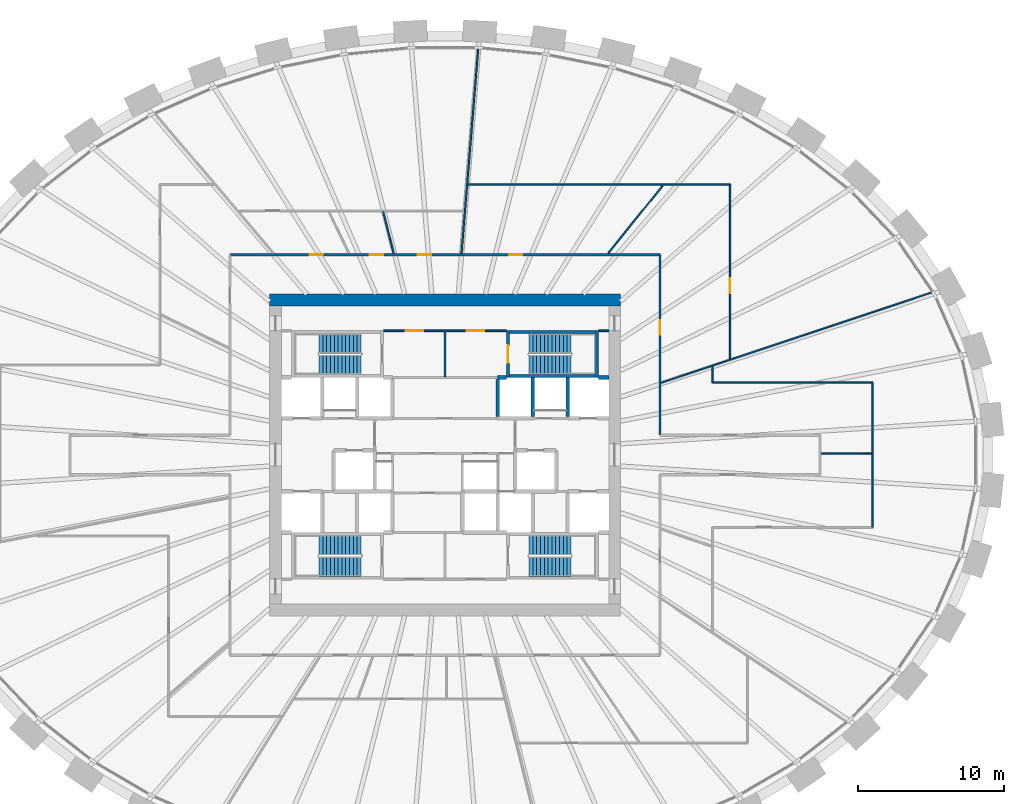
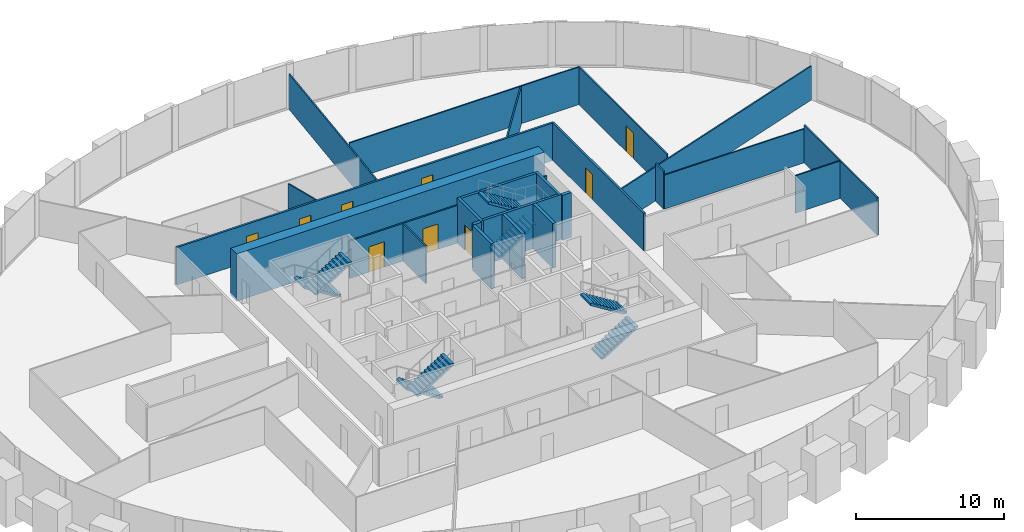
# One storey, part 9 of 10: 25 walls, 9 doors, 8 stair flights, 9 openings, 4 elements without a shape of their own.
"""IFC4 building model written with IfcOpenShell, lengths in metres."""

from ifc_helpers import new_model, si_unit, direction, frame, frame_2d, origin, place, context, subcontext, project, spatial, polyline, rectangle, outline, extrude, source, transform, mapped, material, layer, layer_set, type_object, element, fill, aggregate, save


model = new_model("IFC4")

# Units and contexts
model_context = context("Model", 3, precision=1e-05, world=origin(), true_north=direction((0.0, 1.0)))
body_context = subcontext(model_context, "Body", "Model", "MODEL_VIEW")
ifc_project = project(units=[si_unit("LENGTHUNIT", "METRE"), si_unit("AREAUNIT", "SQUARE_METRE"), si_unit("VOLUMEUNIT", "CUBIC_METRE"), si_unit("PLANEANGLEUNIT", "RADIAN"), si_unit("MASSUNIT", "GRAM", prefix="KILO")], contexts=[model_context])

# Site, building, storey
site_placement = place(None, origin())
site = spatial("IfcSite", under=ifc_project, at=site_placement, CompositionType="ELEMENT")
building_placement = place(site_placement, origin())
building = spatial("IfcBuilding", under=site, at=building_placement, Name="Embergate Tower", CompositionType="ELEMENT")
storey_placement = place(building_placement, frame((0.0, 0.0, 167.699951171875)))
storey = spatial("IfcBuildingStorey", under=building, at=storey_placement, Name="L37", CompositionType="ELEMENT", Elevation=167.699951171875)

# Walls
ifc_material_1 = material(Name="Concrete C70", Category="concrete")
ifc_layer_1 = layer(ifc_material_1, 0.800048828125)
ifc_layer_set_1 = layer_set([ifc_layer_1], Name="Concrete C70")
wall_type_1 = type_object("IfcWallType", Name="Core outer wall C70 800", PredefinedType="SHEAR", material=ifc_layer_set_1)
shared_shape_1 = source(origin(), body_context, "Body", "SweptSolid", [
    extrude(rectangle(XDim=24.0, YDim=0.800048828125, at=frame_2d((12.0, 0.0))), origin(), (0.0, 0.0, 1.0), 3.89990234375),
])
wall_1_placement = place(storey_placement, frame((-12.0, 10.60009765625, -0.199951171875), z_axis=(0.0, 0.0, 1.0), x_axis=(1.0, 0.0, 0.0)))
element("IfcWall", 1, at=wall_1_placement, inside=storey, type_object=wall_type_1, Name="CW-L37-N", PredefinedType="SHEAR", context=body_context, shape_type="MappedRepresentation", body=[
    mapped(shared_shape_1, transform((0.0, 0.0, 0.0))),
])
ifc_material_2 = material(Name="Concrete C50", Category="concrete")
ifc_layer_2 = layer(ifc_material_2, 0.25)
ifc_layer_set_2 = layer_set([ifc_layer_2], Name="Concrete C50")
wall_type_2 = type_object("IfcWallType", Name="Hoistway wall reinforced concrete 250", PredefinedType="SHEAR", material=ifc_layer_set_2)
shared_shape_2 = source(origin(), body_context, "Body", "SweptSolid", [
    extrude(rectangle(XDim=2.675048828125, YDim=0.25, at=frame_2d((1.33740234375, 0.0))), origin(), (0.0, 0.0, 1.0), 3.699951171875),
])
for number, where, z_axis, x_axis, name in (
    (2, (6.0, 2.625, 0.0), (0.0, 0.0, 1.0), (0.0, 1.0, 0.0), "HW-1 wall"),
    (3, (8.39990234375, 2.625, 0.0), (0.0, 0.0, 1.0), (0.0, 1.0, 0.0), "HW-1 wall"),
):
    element("IfcWall", number, at=place(storey_placement, frame(where, z_axis=z_axis, x_axis=x_axis)), inside=storey, type_object=wall_type_2, Name=name, PredefinedType="SHEAR", context=body_context, shape_type="MappedRepresentation", body=[
        mapped(shared_shape_2, transform((0.0, 0.0, 0.0))),
    ])
ifc_layer_3 = layer(ifc_material_2, 0.199951171875)
ifc_layer_set_3 = layer_set([ifc_layer_3], Name="Concrete C50")
wall_type_3 = type_object("IfcWallType", Name="Stair enclosure wall reinforced concrete 250", PredefinedType="SHEAR", material=ifc_layer_set_3)
shared_shape_3 = source(origin(), body_context, "Body", "SweptSolid", [
    extrude(rectangle(XDim=6.300048828125, YDim=0.199951171875, at=frame_2d((3.14990234375, 0.0))), origin(), (0.0, 0.0, 1.0), 3.699951171875),
])
for number, where, z_axis, x_axis, name in (
    (4, (10.5, 5.39990234375, 0.0), (0.0, 0.0, 1.0), (-1.0, 0.0, 0.0), "SE-1 wall"),
    (5, (10.5, 8.39990234375, 0.0), (0.0, 0.0, 1.0), (-1.0, 0.0, 0.0), "SE-1 wall"),
):
    element("IfcWall", number, at=place(storey_placement, frame(where, z_axis=z_axis, x_axis=x_axis)), inside=storey, type_object=wall_type_3, Name=name, PredefinedType="SHEAR", context=body_context, shape_type="MappedRepresentation", body=[
        mapped(shared_shape_3, transform((0.0, 0.0, 0.0))),
    ])
shared_shape_4 = source(origin(), body_context, "Body", "SweptSolid", [
    extrude(rectangle(XDim=2.550048828125, YDim=0.25, at=frame_2d((1.27490234375, 0.0))), origin(), (0.0, 0.0, 1.0), 3.699951171875),
])
wall_2_placement = place(storey_placement, frame((3.60009765625, 5.175048828125, 0.0), z_axis=(0.0, 0.0, 1.0), x_axis=(0.0, -1.0, 0.0)))
element("IfcWall", 6, at=wall_2_placement, inside=storey, type_object=wall_type_2, Name="HW-1 wall", PredefinedType="SHEAR", context=body_context, shape_type="MappedRepresentation", body=[
    mapped(shared_shape_4, transform((0.0, 0.0, 0.0))),
])

# Wall, opening, door
shared_shape_5 = source(origin(), body_context, "Body", "SweptSolid", [
    extrude(rectangle(XDim=3.199951171875, YDim=0.199951171875, at=frame_2d((1.60009765625, 0.0))), origin(), (0.0, 0.0, 1.0), 3.699951171875),
])
wall_3_placement = place(storey_placement, frame((4.300048828125, 8.5, 0.0), z_axis=(0.0, 0.0, 1.0), x_axis=(0.0, -1.0, 0.0)))
wall_3 = element("IfcWall", 7, at=wall_3_placement, inside=storey, type_object=wall_type_3, Name="SE-1 wall", PredefinedType="SHEAR", context=body_context, shape_type="MappedRepresentation", body=[
    mapped(shared_shape_5, transform((0.0, 0.0, 0.0))),
])
shared_shape_6 = source(origin(), body_context, "Body", "SweptSolid", [
    extrude(rectangle(XDim=1.199951171875, YDim=2.10009765625, at=frame_2d((0.60009765625, 1.050048828125))), frame((0.0, 0.10986328125, 0.0), z_axis=(0.0, -1.0, 0.0), x_axis=(1.0, 0.0, 0.0)), (0.0, 0.0, 1.0), 0.219970703125),
])
opening_1_placement = place(wall_3_placement, frame((1.0, 0.0, 0.0)))
opening_1 = element("IfcOpeningElement", 8, at=opening_1_placement, cuts=wall_3, Name="Opening IF-2", PredefinedType="OPENING", context=body_context, shape_type="MappedRepresentation", body=[
    mapped(shared_shape_6, transform((0.0, 0.0, 0.0))),
])
ifc_material_3 = material(Name="Stair enclosure door 1200")
door_type_1 = type_object("IfcDoorType", Name="Stair enclosure door 1200", OperationType="SINGLE_SWING_LEFT", PredefinedType="DOOR", material=ifc_material_3)
shared_shape_7 = source(origin(), body_context, "Body", "SweptSolid", [
    extrude(rectangle(XDim=1.199951171875, YDim=2.10009765625, at=frame_2d((0.60009765625, 1.050048828125))), frame((0.0, 0.02490234375, 0.0), z_axis=(0.0, -1.0, 0.0), x_axis=(1.0, 0.0, 0.0)), (0.0, 0.0, 1.0), 0.050048828125),
])
door_1_placement = place(opening_1_placement, origin())
door_1 = element("IfcDoor", 9, at=door_1_placement, inside=storey, type_object=door_type_1, Name="IF-2 door", OperationType="SINGLE_SWING_RIGHT", OverallHeight=2.10009765625, OverallWidth=1.199951171875, PredefinedType="DOOR", context=body_context, shape_type="MappedRepresentation", body=[
    mapped(shared_shape_7, transform((0.0, 0.0, 0.0))),
])
fill(opening_1, door_1)

# Wall, openings, doors
ifc_material_4 = material(Name="Core partition blockwork 120")
ifc_layer_4 = layer(ifc_material_4, 0.1201171875)
ifc_layer_set_4 = layer_set([ifc_layer_4], Name="Core partition blockwork 120")
wall_type_4 = type_object("IfcWallType", Name="Core partition blockwork 120", PredefinedType="PARTITIONING", material=ifc_layer_set_4)
shared_shape_8 = source(origin(), body_context, "Body", "SweptSolid", [
    extrude(rectangle(XDim=8.39990234375, YDim=0.1201171875, at=frame_2d((4.199951171875, 0.0))), origin(), (0.0, 0.0, 1.0), 3.10009765625),
])
wall_4_placement = place(storey_placement, frame((4.199951171875, 8.5, 0.0), z_axis=(0.0, 0.0, 1.0), x_axis=(-1.0, 0.0, 0.0)))
wall_4 = element("IfcWall", 10, at=wall_4_placement, inside=storey, type_object=wall_type_4, Name="IP-3 wall", PredefinedType="PARTITIONING", context=body_context, shape_type="MappedRepresentation", body=[
    mapped(shared_shape_8, transform((0.0, 0.0, 0.0))),
])
shared_shape_9 = source(origin(), body_context, "Body", "SweptSolid", [
    extrude(rectangle(XDim=1.199951171875, YDim=2.10009765625, at=frame_2d((0.60009765625, 1.050048828125))), frame((0.0, 0.070068359375, 0.0), z_axis=(0.0, -1.0, 0.0), x_axis=(1.0, 0.0, 0.0)), (0.0, 0.0, 1.0), 0.14013671875),
])
opening_2_placement = place(wall_4_placement, frame((5.699951171875, 0.0, 0.0)))
opening_2 = element("IfcOpeningElement", 11, at=opening_2_placement, cuts=wall_4, Name="Opening IF-3f", PredefinedType="OPENING", context=body_context, shape_type="MappedRepresentation", body=[
    mapped(shared_shape_9, transform((0.0, 0.0, 0.0))),
])
opening_3_placement = place(wall_4_placement, frame((1.5, 0.0, 0.0)))
opening_3 = element("IfcOpeningElement", 12, at=opening_3_placement, cuts=wall_4, Name="Opening IF-3f", PredefinedType="OPENING", context=body_context, shape_type="MappedRepresentation", body=[
    mapped(shared_shape_9, transform((0.0, 0.0, 0.0))),
])
ifc_material_5 = material(Name="Lobby fire door pair 1200")
door_type_2 = type_object("IfcDoorType", Name="Lobby fire door pair 1200", OperationType="DOUBLE_DOOR_SINGLE_SWING", PredefinedType="DOOR", material=ifc_material_5)
door_2_placement = place(opening_2_placement, origin())
door_2 = element("IfcDoor", 13, at=door_2_placement, inside=storey, type_object=door_type_2, Name="IF-3 door", OperationType="DOUBLE_DOOR_SINGLE_SWING", OverallHeight=2.10009765625, OverallWidth=1.199951171875, PredefinedType="DOOR", context=body_context, shape_type="MappedRepresentation", body=[
    mapped(shared_shape_7, transform((0.0, 0.0, 0.0))),
])
fill(opening_2, door_2)
door_3_placement = place(opening_3_placement, origin())
door_3 = element("IfcDoor", 14, at=door_3_placement, inside=storey, type_object=door_type_2, Name="IF-3 door", OperationType="DOUBLE_DOOR_SINGLE_SWING", OverallHeight=2.10009765625, OverallWidth=1.199951171875, PredefinedType="DOOR", context=body_context, shape_type="MappedRepresentation", body=[
    mapped(shared_shape_7, transform((0.0, 0.0, 0.0))),
])
fill(opening_3, door_3)

# Walls
ifc_material_6 = material(Name="Partition dry-lined 100")
ifc_layer_5 = layer(ifc_material_6, 0.10009765625)
ifc_layer_set_5 = layer_set([ifc_layer_5], Name="Partition dry-lined 100")
wall_type_5 = type_object("IfcWallType", Name="Partition dry-lined 100", PredefinedType="PARTITIONING", material=ifc_layer_set_5)
shared_shape_10 = source(origin(), body_context, "Body", "SweptSolid", [
    extrude(rectangle(XDim=10.949951171875, YDim=0.10009765625, at=frame_2d((5.47509765625, 0.0))), origin(), (0.0, 0.0, 1.0), 2.800048828125),
])
wall_5_placement = place(storey_placement, frame((29.25, 4.949951171875, 0.0), z_axis=(0.0, 0.0, 1.0), x_axis=(-1.0, 0.0, 0.0)))
element("IfcWall", 15, at=wall_5_placement, inside=storey, type_object=wall_type_5, Name="IP-1 wall", PredefinedType="PARTITIONING", context=body_context, shape_type="MappedRepresentation", body=[
    mapped(shared_shape_10, transform((0.0, 0.0, 0.0))),
])
shared_shape_11 = source(origin(), body_context, "Body", "SweptSolid", [
    extrude(rectangle(XDim=0.599853515625, YDim=0.25, at=frame_2d((0.2998046875, 0.0))), origin(), (0.0, 0.0, 1.0), 3.699951171875),
])
wall_6_placement = place(storey_placement, frame((4.199951171875, 5.300048828125, 0.0), z_axis=(0.0, 0.0, 1.0), x_axis=(-1.0, 0.0, 0.0)))
element("IfcWall", 16, at=wall_6_placement, inside=storey, type_object=wall_type_2, Name="HW-1 wall", PredefinedType="SHEAR", context=body_context, shape_type="MappedRepresentation", body=[
    mapped(shared_shape_11, transform((0.0, 0.0, 0.0))),
])
shared_shape_12 = source(origin(), body_context, "Body", "SweptSolid", [
    extrude(rectangle(XDim=3.079833984375, YDim=0.1201171875, at=frame_2d((1.5400390625, 0.0))), origin(), (0.0, 0.0, 1.0), 3.10009765625),
])
wall_7_placement = place(storey_placement, frame((0.0, 5.360107421875, 0.0), z_axis=(0.0, 0.0, 1.0), x_axis=(0.0, 1.0, 0.0)))
element("IfcWall", 17, at=wall_7_placement, inside=storey, type_object=wall_type_4, Name="IP-3 wall", PredefinedType="PARTITIONING", context=body_context, shape_type="MappedRepresentation", body=[
    mapped(shared_shape_12, transform((0.0, 0.0, 0.0))),
])
shared_shape_13 = source(origin(), body_context, "Body", "SweptSolid", [
    extrude(rectangle(XDim=3.196044921875, YDim=0.199951171875, at=frame_2d((1.59814453125, 0.0))), origin(), (0.0, 0.0, 1.0), 3.699951171875),
])
wall_8_placement = place(storey_placement, frame((10.39990234375, 5.302001953125, 0.0), z_axis=(0.0, 0.0, 1.0), x_axis=(0.0, 1.0, 0.0)))
element("IfcWall", 18, at=wall_8_placement, inside=storey, type_object=wall_type_3, Name="SE-1 wall", PredefinedType="SHEAR", context=body_context, shape_type="MappedRepresentation", body=[
    mapped(shared_shape_13, transform((0.0, 0.0, 0.0))),
])
shared_shape_14 = source(origin(), body_context, "Body", "SweptSolid", [
    extrude(rectangle(XDim=0.697998046875, YDim=0.25, at=frame_2d((0.34912109375, 0.0))), origin(), (0.0, 0.0, 1.0), 3.699951171875),
])
wall_9_placement = place(storey_placement, frame((11.199951171875, 5.300048828125, 0.0), z_axis=(0.0, 0.0, 1.0), x_axis=(-1.0, 0.0, 0.0)))
element("IfcWall", 19, at=wall_9_placement, inside=storey, type_object=wall_type_2, Name="HW-1 wall", PredefinedType="SHEAR", context=body_context, shape_type="MappedRepresentation", body=[
    mapped(shared_shape_14, transform((0.0, 0.0, 0.0))),
])
shared_shape_15 = source(origin(), body_context, "Body", "SweptSolid", [
    extrude(rectangle(XDim=0.697998046875, YDim=0.1201171875, at=frame_2d((0.34912109375, 0.0))), origin(), (0.0, 0.0, 1.0), 3.10009765625),
])
wall_10_placement = place(storey_placement, frame((10.501953125, 8.5, 0.0), z_axis=(0.0, 0.0, 1.0), x_axis=(1.0, 0.0, 0.0)))
element("IfcWall", 20, at=wall_10_placement, inside=storey, type_object=wall_type_4, Name="IP-3 wall", PredefinedType="PARTITIONING", context=body_context, shape_type="MappedRepresentation", body=[
    mapped(shared_shape_15, transform((0.0, 0.0, 0.0))),
])
shared_shape_16 = source(origin(), body_context, "Body", "SweptSolid", [
    extrude(rectangle(XDim=19.575927734375, YDim=0.10009765625, at=frame_2d((9.7880859375, 0.0))), origin(), (0.0, 0.0, 1.0), 2.800048828125),
])
wall_11_placement = place(storey_placement, frame((33.35888671875, 11.14111328125, 0.0), z_axis=(0.0, 0.0, 1.0), x_axis=(-0.948501058116, -0.316773961608, 0.0)))
element("IfcWall", 21, at=wall_11_placement, inside=storey, type_object=wall_type_5, Name="IP-1 wall", PredefinedType="PARTITIONING", context=body_context, shape_type="MappedRepresentation", body=[
    mapped(shared_shape_16, transform((0.0, 0.0, 0.0))),
])

# Wall, opening, door
ifc_material_7 = material(Name="Corridor wall dry-lined 150")
ifc_layer_6 = layer(ifc_material_7, 0.14990234375)
ifc_layer_set_6 = layer_set([ifc_layer_6], Name="Corridor wall dry-lined 150")
wall_type_6 = type_object("IfcWallType", Name="Corridor wall dry-lined 150", PredefinedType="PARTITIONING", material=ifc_layer_set_6)
shared_shape_17 = source(origin(), body_context, "Body", "SweptSolid", [
    extrude(rectangle(XDim=12.349853515625, YDim=0.14990234375, at=frame_2d((6.1748046875, 0.0))), origin(), (0.0, 0.0, 1.0), 3.10009765625),
])
wall_12_placement = place(storey_placement, frame((14.699951171875, 13.699951171875, 0.0), z_axis=(0.0, 0.0, 1.0), x_axis=(0.0, -1.0, 0.0)))
wall_12 = element("IfcWall", 22, at=wall_12_placement, inside=storey, type_object=wall_type_6, Name="IP-2 wall", PredefinedType="PARTITIONING", context=body_context, shape_type="MappedRepresentation", body=[
    mapped(shared_shape_17, transform((0.0, 0.0, 0.0))),
])
shared_shape_18 = source(origin(), body_context, "Body", "SweptSolid", [
    extrude(rectangle(XDim=1.0, YDim=2.10009765625, at=frame_2d((0.5, 1.050048828125))), frame((0.0, 0.0849609375, 0.0), z_axis=(0.0, -1.0, 0.0), x_axis=(1.0, 0.0, 0.0)), (0.0, 0.0, 1.0), 0.169921875),
])
opening_4_placement = place(wall_12_placement, frame((4.470947265625, 0.0, 0.0)))
opening_4 = element("IfcOpeningElement", 23, at=opening_4_placement, cuts=wall_12, Name="Opening ID-2", PredefinedType="OPENING", context=body_context, shape_type="MappedRepresentation", body=[
    mapped(shared_shape_18, transform((0.0, 0.0, 0.0))),
])
ifc_material_8 = material(Name="Interior door 1000")
door_type_3 = type_object("IfcDoorType", Name="Interior door 1000", OperationType="SINGLE_SWING_LEFT", PredefinedType="DOOR", material=ifc_material_8)
shared_shape_19 = source(origin(), body_context, "Body", "SweptSolid", [
    extrude(rectangle(XDim=1.0, YDim=2.10009765625, at=frame_2d((0.5, 1.050048828125))), frame((0.0, 0.02490234375, 0.0), z_axis=(0.0, -1.0, 0.0), x_axis=(1.0, 0.0, 0.0)), (0.0, 0.0, 1.0), 0.050048828125),
])
door_4_placement = place(opening_4_placement, origin())
door_4 = element("IfcDoor", 24, at=door_4_placement, inside=storey, type_object=door_type_3, Name="ID-2 door", OperationType="SINGLE_SWING_LEFT", OverallHeight=2.10009765625, OverallWidth=1.0, PredefinedType="DOOR", context=body_context, shape_type="MappedRepresentation", body=[
    mapped(shared_shape_19, transform((0.0, 0.0, 0.0))),
])
fill(opening_4, door_4)

# Wall, openings, doors
shared_shape_20 = source(origin(), body_context, "Body", "SweptSolid", [
    extrude(rectangle(XDim=29.39990234375, YDim=0.14990234375, at=frame_2d((14.699951171875, 0.0))), origin(), (0.0, 0.0, 1.0), 3.10009765625),
])
wall_13_placement = place(storey_placement, frame((-14.699951171875, 13.699951171875, 0.0), z_axis=(0.0, 0.0, 1.0), x_axis=(1.0, 0.0, 0.0)))
wall_13 = element("IfcWall", 25, at=wall_13_placement, inside=storey, type_object=wall_type_6, Name="IP-2 wall", PredefinedType="PARTITIONING", context=body_context, shape_type="MappedRepresentation", body=[
    mapped(shared_shape_20, transform((0.0, 0.0, 0.0))),
])
shared_shape_21 = source(origin(), body_context, "Body", "SweptSolid", [
    extrude(rectangle(XDim=0.89990234375, YDim=2.10009765625, at=frame_2d((0.449951171875, 1.050048828125))), frame((0.0, 0.0849609375, 0.0), z_axis=(0.0, -1.0, 0.0), x_axis=(1.0, 0.0, 0.0)), (0.0, 0.0, 1.0), 0.169921875),
])
opening_5_placement = place(wall_13_placement, frame((19.080078125, 0.0, 0.0)))
opening_5 = element("IfcOpeningElement", 26, at=opening_5_placement, cuts=wall_13, Name="Opening IF-1c", PredefinedType="OPENING", context=body_context, shape_type="MappedRepresentation", body=[
    mapped(shared_shape_21, transform((0.0, 0.0, 0.0))),
])
opening_6_placement = place(wall_13_placement, frame((12.84912109375, 0.0, 0.0)))
opening_6 = element("IfcOpeningElement", 27, at=opening_6_placement, cuts=wall_13, Name="Opening IF-1c", PredefinedType="OPENING", context=body_context, shape_type="MappedRepresentation", body=[
    mapped(shared_shape_21, transform((0.0, 0.0, 0.0))),
])
opening_7_placement = place(wall_13_placement, frame((9.56396484375, 0.0, 0.0)))
opening_7 = element("IfcOpeningElement", 28, at=opening_7_placement, cuts=wall_13, Name="Opening IF-1c", PredefinedType="OPENING", context=body_context, shape_type="MappedRepresentation", body=[
    mapped(shared_shape_21, transform((0.0, 0.0, 0.0))),
])
opening_8_placement = place(wall_13_placement, frame((5.452880859375, 0.0, 0.0)))
opening_8 = element("IfcOpeningElement", 29, at=opening_8_placement, cuts=wall_13, Name="Opening IF-1c", PredefinedType="OPENING", context=body_context, shape_type="MappedRepresentation", body=[
    mapped(shared_shape_21, transform((0.0, 0.0, 0.0))),
])
ifc_material_9 = material(Name="Escape fire door 900")
door_type_4 = type_object("IfcDoorType", Name="Escape fire door 900", OperationType="SINGLE_SWING_LEFT", PredefinedType="DOOR", material=ifc_material_9)
shared_shape_22 = source(origin(), body_context, "Body", "SweptSolid", [
    extrude(rectangle(XDim=0.89990234375, YDim=2.10009765625, at=frame_2d((0.449951171875, 1.050048828125))), frame((0.0, 0.02490234375, 0.0), z_axis=(0.0, -1.0, 0.0), x_axis=(1.0, 0.0, 0.0)), (0.0, 0.0, 1.0), 0.050048828125),
])
door_5_placement = place(opening_5_placement, origin())
door_5 = element("IfcDoor", 30, at=door_5_placement, inside=storey, type_object=door_type_4, Name="IF-1 door", OperationType="SINGLE_SWING_LEFT", OverallHeight=2.10009765625, OverallWidth=0.89990234375, PredefinedType="DOOR", context=body_context, shape_type="MappedRepresentation", body=[
    mapped(shared_shape_22, transform((0.0, 0.0, 0.0))),
])
fill(opening_5, door_5)
door_6_placement = place(opening_6_placement, origin())
door_6 = element("IfcDoor", 31, at=door_6_placement, inside=storey, type_object=door_type_4, Name="IF-1 door", OperationType="SINGLE_SWING_LEFT", OverallHeight=2.10009765625, OverallWidth=0.89990234375, PredefinedType="DOOR", context=body_context, shape_type="MappedRepresentation", body=[
    mapped(shared_shape_22, transform((0.0, 0.0, 0.0))),
])
fill(opening_6, door_6)
door_7_placement = place(opening_7_placement, origin())
door_7 = element("IfcDoor", 32, at=door_7_placement, inside=storey, type_object=door_type_4, Name="IF-1 door", OperationType="SINGLE_SWING_RIGHT", OverallHeight=2.10009765625, OverallWidth=0.89990234375, PredefinedType="DOOR", context=body_context, shape_type="MappedRepresentation", body=[
    mapped(shared_shape_22, transform((0.0, 0.0, 0.0))),
])
fill(opening_7, door_7)
door_8_placement = place(opening_8_placement, origin())
door_8 = element("IfcDoor", 33, at=door_8_placement, inside=storey, type_object=door_type_4, Name="IF-1 door", OperationType="SINGLE_SWING_RIGHT", OverallHeight=2.10009765625, OverallWidth=0.89990234375, PredefinedType="DOOR", context=body_context, shape_type="MappedRepresentation", body=[
    mapped(shared_shape_22, transform((0.0, 0.0, 0.0))),
])
fill(opening_8, door_8)

# Walls
shared_shape_23 = source(origin(), body_context, "Body", "SweptSolid", [
    extrude(rectangle(XDim=3.474853515625, YDim=0.10009765625, at=frame_2d((1.7373046875, 0.0))), origin(), (0.0, 0.0, 1.0), 3.10009765625),
])
wall_14_placement = place(storey_placement, frame((25.72509765625, 0.087890625, 0.0), z_axis=(0.0, 0.0, 1.0), x_axis=(0.999993829603, 0.003512941156, 0.0)))
element("IfcWall", 34, at=wall_14_placement, inside=storey, type_object=wall_type_5, Name="IP-1 wall", PredefinedType="PARTITIONING", context=body_context, shape_type="MappedRepresentation", body=[
    mapped(shared_shape_23, transform((0.0, 0.0, 0.0))),
])
shared_shape_24 = source(origin(), body_context, "Body", "SweptSolid", [
    extrude(rectangle(XDim=9.89990234375, YDim=0.10009765625, at=frame_2d((4.949951171875, 0.0))), origin(), (0.0, 0.0, 1.0), 3.10009765625),
])
wall_15_placement = place(storey_placement, frame((29.25, 4.949951171875, 0.0), z_axis=(0.0, 0.0, 1.0), x_axis=(0.0, -1.0, 0.0)))
element("IfcWall", 35, at=wall_15_placement, inside=storey, type_object=wall_type_5, Name="IP-1 wall", PredefinedType="PARTITIONING", context=body_context, shape_type="MappedRepresentation", body=[
    mapped(shared_shape_24, transform((0.0, 0.0, 0.0))),
])
shared_shape_25 = source(origin(), body_context, "Body", "SweptSolid", [
    extrude(rectangle(XDim=1.092041015625, YDim=0.10009765625, at=frame_2d((0.5458984375, 0.0))), origin(), (0.0, 0.0, 1.0), 3.10009765625),
])
wall_16_placement = place(storey_placement, frame((18.300048828125, 4.949951171875, 0.0), z_axis=(0.0, 0.0, 1.0), x_axis=(0.0, 1.0, 0.0)))
element("IfcWall", 36, at=wall_16_placement, inside=storey, type_object=wall_type_5, Name="IP-1 wall", PredefinedType="PARTITIONING", context=body_context, shape_type="MappedRepresentation", body=[
    mapped(shared_shape_25, transform((0.0, 0.0, 0.0))),
])
shared_shape_26 = source(origin(), body_context, "Body", "SweptSolid", [
    extrude(rectangle(XDim=5.931640625, YDim=0.10009765625, at=frame_2d((2.9658203125, 0.0))), origin(), (0.0, 0.0, 1.0), 3.10009765625),
])
wall_17_placement = place(storey_placement, frame((14.89111328125, 18.4189453125, 0.0), z_axis=(0.0, 0.0, 1.0), x_axis=(-0.628652246479, -0.777686539035, 0.0)))
element("IfcWall", 37, at=wall_17_placement, inside=storey, type_object=wall_type_5, Name="IP-1 wall", PredefinedType="PARTITIONING", context=body_context, shape_type="MappedRepresentation", body=[
    mapped(shared_shape_26, transform((0.0, 0.0, 0.0))),
])

# Wall, opening, door
shared_shape_27 = source(origin(), body_context, "Body", "SweptSolid", [
    extrude(rectangle(XDim=11.91796875, YDim=0.10009765625, at=frame_2d((5.958984375, 0.0))), origin(), (0.0, 0.0, 1.0), 3.10009765625),
])
wall_18_placement = place(storey_placement, frame((19.5, 6.58203125, 0.0), z_axis=(0.0, 0.0, 1.0), x_axis=(0.0, 1.0, 0.0)))
wall_18 = element("IfcWall", 38, at=wall_18_placement, inside=storey, type_object=wall_type_5, Name="IP-1 wall", PredefinedType="PARTITIONING", context=body_context, shape_type="MappedRepresentation", body=[
    mapped(shared_shape_27, transform((0.0, 0.0, 0.0))),
])
shared_shape_28 = source(origin(), body_context, "Body", "SweptSolid", [
    extrude(rectangle(XDim=1.0, YDim=2.10009765625, at=frame_2d((0.5, 1.050048828125))), frame((0.0, 0.06005859375, 0.0), z_axis=(0.0, -1.0, 0.0), x_axis=(1.0, 0.0, 0.0)), (0.0, 0.0, 1.0), 0.1201171875),
])
opening_9_placement = place(wall_18_placement, frame((4.4892578125, 0.0, 0.0)))
opening_9 = element("IfcOpeningElement", 39, at=opening_9_placement, cuts=wall_18, Name="Opening ID-2", PredefinedType="OPENING", context=body_context, shape_type="MappedRepresentation", body=[
    mapped(shared_shape_28, transform((0.0, 0.0, 0.0))),
])
door_9_placement = place(opening_9_placement, origin())
door_9 = element("IfcDoor", 40, at=door_9_placement, inside=storey, type_object=door_type_3, Name="ID-2 door", OperationType="SINGLE_SWING_LEFT", OverallHeight=2.10009765625, OverallWidth=1.0, PredefinedType="DOOR", context=body_context, shape_type="MappedRepresentation", body=[
    mapped(shared_shape_19, transform((0.0, 0.0, 0.0))),
])
fill(opening_9, door_9)

# Walls
shared_shape_29 = source(origin(), body_context, "Body", "SweptSolid", [
    extrude(rectangle(XDim=17.93798828125, YDim=0.10009765625, at=frame_2d((8.968994140625, 0.0))), origin(), (0.0, 0.0, 1.0), 3.10009765625),
])
wall_19_placement = place(storey_placement, frame((19.5, 18.5, 0.0), z_axis=(0.0, 0.0, 1.0), x_axis=(-1.0, 0.0, 0.0)))
element("IfcWall", 41, at=wall_19_placement, inside=storey, type_object=wall_type_5, Name="IP-1 wall", PredefinedType="PARTITIONING", context=body_context, shape_type="MappedRepresentation", body=[
    mapped(shared_shape_29, transform((0.0, 0.0, 0.0))),
])
shared_shape_30 = source(origin(), body_context, "Body", "SweptSolid", [
    extrude(rectangle(XDim=14.119873046875, YDim=0.10009765625, at=frame_2d((7.06005859375, 0.0))), origin(), (0.0, 0.0, 1.0), 2.900146484375),
])
wall_20_placement = place(storey_placement, frame((2.27587890625, 27.847900390625, 0.0), z_axis=(0.0, 0.0, 1.0), x_axis=(-0.08143842523, -0.996678374851, 0.0)))
element("IfcWall", 42, at=wall_20_placement, inside=storey, type_object=wall_type_5, Name="IP-1 wall", PredefinedType="PARTITIONING", context=body_context, shape_type="MappedRepresentation", body=[
    mapped(shared_shape_30, transform((0.0, 0.0, 0.0))),
])
ifc_material_10 = material(Name="Partition dry-lined 100 wet")
ifc_layer_7 = layer(ifc_material_10, 0.10009765625)
ifc_layer_set_7 = layer_set([ifc_layer_7], Name="Partition dry-lined 100 wet")
wall_type_7 = type_object("IfcWallType", Name="Partition dry-lined 100 wet", PredefinedType="PLUMBINGWALL", material=ifc_layer_set_7)
shared_shape_31 = source(origin(), body_context, "Body", "SweptSolid", [
    extrude(rectangle(XDim=2.941650390625, YDim=0.10009765625, at=frame_2d((1.470703125, 0.0))), origin(), (0.0, 0.0, 1.0), 2.900146484375),
])
wall_21_placement = place(storey_placement, frame((-3.510009765625, 13.787109375, 0.0), z_axis=(0.0, 0.0, 1.0), x_axis=(-0.246497875736, 0.969143331638, 0.0)))
element("IfcWall", 43, at=wall_21_placement, inside=storey, type_object=wall_type_7, Name="IP-1 wall", PredefinedType="PLUMBINGWALL", context=body_context, shape_type="MappedRepresentation", body=[
    mapped(shared_shape_31, transform((0.0, 0.0, 0.0))),
])

# Stair, stair flights
ifc_material_11 = material(Name="Exit stair")
stair_type = type_object("IfcStairType", Name="Exit stair", PredefinedType="HALF_TURN_STAIR", material=ifc_material_11)
stair_1_placement = place(storey_placement, origin())
stair_1 = element("IfcStair", 44, at=stair_1_placement, inside=storey, type_object=stair_type, Name="L37 Exit stair 1", PredefinedType="HALF_TURN_STAIR")
ifc_material_12 = material(Name="Concrete C40", Category="concrete")
stair_flight_type = type_object("IfcStairFlightType", Name="Stair flight reinforced concrete", PredefinedType="STRAIGHT", material=ifc_material_12)
shared_shape_32 = source(origin(), body_context, "Body", "SweptSolid", [
    extrude(outline(polyline([(0.0, 0.0), (0.0, 0.16259765625), (0.260009765625, 0.16259765625), (0.260009765625, 0.324951171875), (0.52001953125, 0.324951171875), (0.52001953125, 0.487548828125), (0.780029296875, 0.487548828125), (0.780029296875, 0.64990234375), (1.0400390625, 0.64990234375), (1.0400390625, 0.8125), (1.300048828125, 0.8125), (1.300048828125, 0.97509765625), (1.56005859375, 0.97509765625), (1.56005859375, 1.137451171875), (1.820068359375, 1.137451171875), (1.820068359375, 1.300048828125), (2.080078125, 1.300048828125), (2.080078125, 1.46240234375), (2.340087890625, 1.46240234375), (2.340087890625, 1.625), (2.60009765625, 1.625), (2.60009765625, 1.78759765625), (2.860107421875, 1.78759765625), (2.860107421875, 1.949951171875), (2.860107421875, 1.61083984375), (0.28271484375, 0.0), (0.0, 0.0)])), frame((0.0, 0.675048828125, 0.0), z_axis=(0.0, -1.0, 0.0), x_axis=(1.0, 0.0, 0.0)), (0.0, 0.0, 1.0), 1.35009765625),
])
stair_flight_1_placement = place(storey_placement, frame((-5.75, 7.625, 0.0), z_axis=(0.0, 0.0, 1.0), x_axis=(-1.0, 0.0, 0.0)))
stair_flight_1 = element("IfcStairFlight", 45, at=stair_flight_1_placement, type_object=stair_flight_type, Name="ST1 flight 1", NumberOfRisers=12, NumberOfTreads=11, PredefinedType="STRAIGHT", RiserHeight=0.1625, TreadLength=0.26, context=body_context, shape_type="MappedRepresentation", body=[
    mapped(shared_shape_32, transform((0.0, 0.0, 0.0))),
])
stair_flight_2_placement = place(storey_placement, frame((-8.610107421875, 6.175048828125, 1.949951171875), z_axis=(0.0, 0.0, 1.0), x_axis=(1.0, 0.0, 0.0)))
stair_flight_2 = element("IfcStairFlight", 46, at=stair_flight_2_placement, type_object=stair_flight_type, Name="ST1 flight 2", NumberOfRisers=12, NumberOfTreads=11, PredefinedType="STRAIGHT", RiserHeight=0.1625, TreadLength=0.26, context=body_context, shape_type="MappedRepresentation", body=[
    mapped(shared_shape_32, transform((0.0, 0.0, 0.0))),
])
aggregate(stair_1, [stair_flight_1, stair_flight_2])

stair_2_placement = place(storey_placement, origin())
stair_2 = element("IfcStair", 47, at=stair_2_placement, inside=storey, type_object=stair_type, Name="L37 Exit stair 2", PredefinedType="HALF_TURN_STAIR")
stair_flight_3_placement = place(storey_placement, frame((5.75, 6.175048828125, 0.0), z_axis=(0.0, 0.0, 1.0), x_axis=(1.0, 0.0, 0.0)))
stair_flight_3 = element("IfcStairFlight", 48, at=stair_flight_3_placement, type_object=stair_flight_type, Name="ST2 flight 1", NumberOfRisers=12, NumberOfTreads=11, PredefinedType="STRAIGHT", RiserHeight=0.1625, TreadLength=0.26, context=body_context, shape_type="MappedRepresentation", body=[
    mapped(shared_shape_32, transform((0.0, 0.0, 0.0))),
])
stair_flight_4_placement = place(storey_placement, frame((8.610107421875, 7.625, 1.949951171875), z_axis=(0.0, 0.0, 1.0), x_axis=(-1.0, 0.0, 0.0)))
stair_flight_4 = element("IfcStairFlight", 49, at=stair_flight_4_placement, type_object=stair_flight_type, Name="ST2 flight 2", NumberOfRisers=12, NumberOfTreads=11, PredefinedType="STRAIGHT", RiserHeight=0.1625, TreadLength=0.26, context=body_context, shape_type="MappedRepresentation", body=[
    mapped(shared_shape_32, transform((0.0, 0.0, 0.0))),
])
aggregate(stair_2, [stair_flight_3, stair_flight_4])

stair_3_placement = place(storey_placement, origin())
stair_3 = element("IfcStair", 50, at=stair_3_placement, inside=storey, type_object=stair_type, Name="L37 Exit stair 3", PredefinedType="HALF_TURN_STAIR")
stair_flight_5_placement = place(storey_placement, frame((-5.75, -6.175048828125, 0.0), z_axis=(0.0, 0.0, 1.0), x_axis=(-1.0, 0.0, 0.0)))
stair_flight_5 = element("IfcStairFlight", 51, at=stair_flight_5_placement, type_object=stair_flight_type, Name="ST3 flight 1", NumberOfRisers=12, NumberOfTreads=11, PredefinedType="STRAIGHT", RiserHeight=0.1625, TreadLength=0.26, context=body_context, shape_type="MappedRepresentation", body=[
    mapped(shared_shape_32, transform((0.0, 0.0, 0.0))),
])
stair_flight_6_placement = place(storey_placement, frame((-8.610107421875, -7.625, 1.949951171875), z_axis=(0.0, 0.0, 1.0), x_axis=(1.0, 0.0, 0.0)))
stair_flight_6 = element("IfcStairFlight", 52, at=stair_flight_6_placement, type_object=stair_flight_type, Name="ST3 flight 2", NumberOfRisers=12, NumberOfTreads=11, PredefinedType="STRAIGHT", RiserHeight=0.1625, TreadLength=0.26, context=body_context, shape_type="MappedRepresentation", body=[
    mapped(shared_shape_32, transform((0.0, 0.0, 0.0))),
])
aggregate(stair_3, [stair_flight_5, stair_flight_6])

stair_4_placement = place(storey_placement, origin())
stair_4 = element("IfcStair", 53, at=stair_4_placement, inside=storey, type_object=stair_type, Name="L37 Exit stair 4", PredefinedType="HALF_TURN_STAIR")
stair_flight_7_placement = place(storey_placement, frame((5.75, -7.625, 0.0), z_axis=(0.0, 0.0, 1.0), x_axis=(1.0, 0.0, 0.0)))
stair_flight_7 = element("IfcStairFlight", 54, at=stair_flight_7_placement, type_object=stair_flight_type, Name="ST4 flight 1", NumberOfRisers=12, NumberOfTreads=11, PredefinedType="STRAIGHT", RiserHeight=0.1625, TreadLength=0.26, context=body_context, shape_type="MappedRepresentation", body=[
    mapped(shared_shape_32, transform((0.0, 0.0, 0.0))),
])
stair_flight_8_placement = place(storey_placement, frame((8.610107421875, -6.175048828125, 1.949951171875), z_axis=(0.0, 0.0, 1.0), x_axis=(-1.0, 0.0, 0.0)))
stair_flight_8 = element("IfcStairFlight", 55, at=stair_flight_8_placement, type_object=stair_flight_type, Name="ST4 flight 2", NumberOfRisers=12, NumberOfTreads=11, PredefinedType="STRAIGHT", RiserHeight=0.1625, TreadLength=0.26, context=body_context, shape_type="MappedRepresentation", body=[
    mapped(shared_shape_32, transform((0.0, 0.0, 0.0))),
])
aggregate(stair_4, [stair_flight_7, stair_flight_8])

save(model, "model.ifc")
